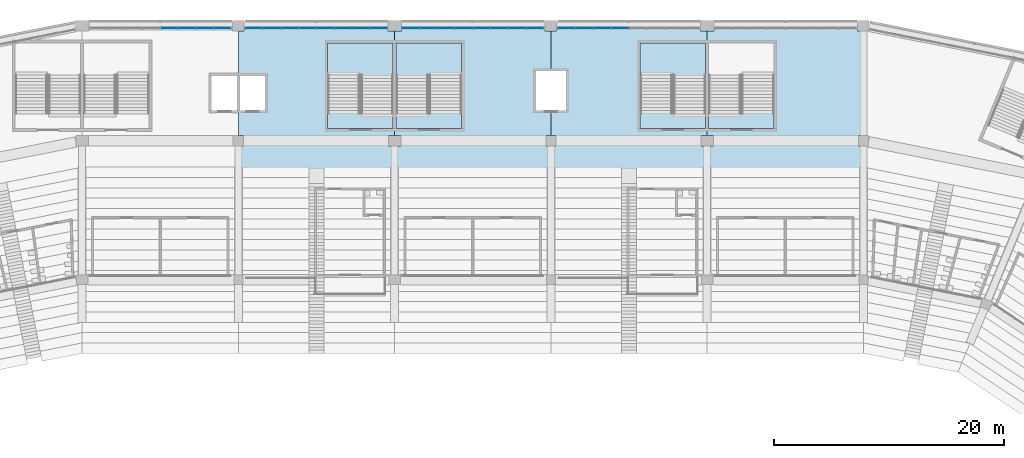
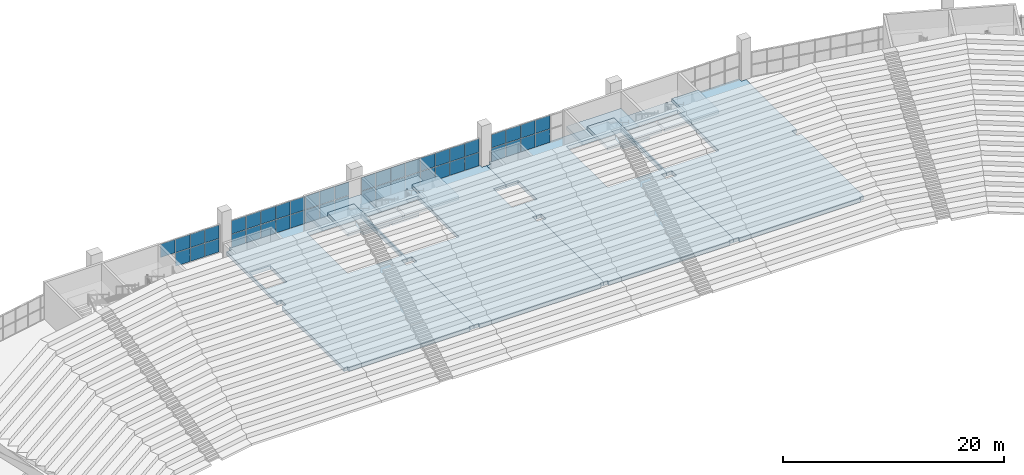
# One storey, part 80 of 249: 47 plates, 11 slabs, 8 elements without a shape of their own.
"""IFC4 building model written with IfcOpenShell, lengths in metres."""

from ifc_helpers import new_model, si_unit, direction, frame, origin, origin_2d, place, context, subcontext, project, spatial, polyline, rectangle, outline, extrude, material, layer, layer_set, type_object, element, aggregate, save


model = new_model("IFC4")

# Units and contexts
model_context = context("Model", 3, precision=1e-05, world=origin(), true_north=direction((0.0, 1.0)))
body_context = subcontext(model_context, "Body", "Model", "MODEL_VIEW")
ifc_project = project(units=[si_unit("LENGTHUNIT", "METRE"), si_unit("AREAUNIT", "SQUARE_METRE"), si_unit("VOLUMEUNIT", "CUBIC_METRE"), si_unit("PLANEANGLEUNIT", "RADIAN"), si_unit("MASSUNIT", "GRAM", prefix="KILO")], contexts=[model_context])

# Site, building, storey
site_placement = place(None, origin())
site = spatial("IfcSite", under=ifc_project, at=site_placement, CompositionType="ELEMENT")
building_placement = place(site_placement, origin())
building = spatial("IfcBuilding", under=site, at=building_placement, Name="Ogive Plaza Stadium", CompositionType="ELEMENT")
storey_placement = place(building_placement, frame((0.0, 0.0, 13.5)))
storey = spatial("IfcBuildingStorey", under=building, at=storey_placement, Name="L03", CompositionType="ELEMENT", Elevation=13.5)

# Curtain wall, plates
ifc_material_1 = material(Name="Bronze-anodised aluminium with laminated glass", Category="aluminium")
curtain_wall_type = type_object("IfcCurtainWallType", Name="Lancet curtain wall", PredefinedType="NOTDEFINED", material=ifc_material_1)
curtain_wall_1_placement = place(storey_placement, origin())
curtain_wall_1 = element("IfcCurtainWall", 1, at=curtain_wall_1_placement, inside=storey, type_object=curtain_wall_type, Name="CURTAIN WALL B32 L03", PredefinedType="NOTDEFINED")
ifc_material_2 = material(Name="Laminated glass", Category="glass")
ifc_layer_1 = layer(ifc_material_2, 0.028076171875)
ifc_layer_set_1 = layer_set([ifc_layer_1], Name="Laminated glass panel 28")
plate_type = type_object("IfcPlateType", Name="Laminated glass panel 28", PredefinedType="CURTAIN_PANEL", material=ifc_layer_set_1)
plate_1_placement = place(storey_placement, frame((-26.425048828125, 102.300048828125, 1.56982421875), z_axis=(0.0, 0.0, 1.0), x_axis=(1.0, 0.0, 0.0)))
plate_1 = element("IfcPlate", 2, at=plate_1_placement, type_object=plate_type, Name="CW-B32-L03 panel 5.2", PredefinedType="CURTAIN_PANEL", context=body_context, shape_type="SweptSolid", body=[
    extrude(rectangle(XDim=1.5, YDim=0.028076171875, at=origin_2d()), origin(), (0.0, 0.0, 1.0), 1.469970703125),
])
plate_2_placement = place(storey_placement, frame((-24.875, 102.300048828125, 0.0498046875), z_axis=(0.0, 0.0, 1.0), x_axis=(1.0, 0.0, 0.0)))
plate_2 = element("IfcPlate", 3, at=plate_2_placement, type_object=plate_type, Name="CW-B32-L03 panel 6.1", PredefinedType="CURTAIN_PANEL", context=body_context, shape_type="SweptSolid", body=[
    extrude(rectangle(XDim=1.5, YDim=0.028076171875, at=origin_2d()), origin(), (0.0, 0.0, 1.0), 1.469970703125),
])
plate_3_placement = place(storey_placement, frame((-24.875, 102.300048828125, 1.56982421875), z_axis=(0.0, 0.0, 1.0), x_axis=(1.0, 0.0, 0.0)))
plate_3 = element("IfcPlate", 4, at=plate_3_placement, type_object=plate_type, Name="CW-B32-L03 panel 6.2", PredefinedType="CURTAIN_PANEL", context=body_context, shape_type="SweptSolid", body=[
    extrude(rectangle(XDim=1.5, YDim=0.028076171875, at=origin_2d()), origin(), (0.0, 0.0, 1.0), 1.469970703125),
])
plate_4_placement = place(storey_placement, frame((-23.324951171875, 102.300048828125, 0.0498046875), z_axis=(0.0, 0.0, 1.0), x_axis=(1.0, 0.0, 0.0)))
plate_4 = element("IfcPlate", 5, at=plate_4_placement, type_object=plate_type, Name="CW-B32-L03 panel 7.1", PredefinedType="CURTAIN_PANEL", context=body_context, shape_type="SweptSolid", body=[
    extrude(rectangle(XDim=1.5, YDim=0.028076171875, at=origin_2d()), origin(), (0.0, 0.0, 1.0), 1.469970703125),
])
plate_5_placement = place(storey_placement, frame((-23.324951171875, 102.300048828125, 1.56982421875), z_axis=(0.0, 0.0, 1.0), x_axis=(1.0, 0.0, 0.0)))
plate_5 = element("IfcPlate", 6, at=plate_5_placement, type_object=plate_type, Name="CW-B32-L03 panel 7.2", PredefinedType="CURTAIN_PANEL", context=body_context, shape_type="SweptSolid", body=[
    extrude(rectangle(XDim=1.5, YDim=0.028076171875, at=origin_2d()), origin(), (0.0, 0.0, 1.0), 1.469970703125),
])
plate_6_placement = place(storey_placement, frame((-21.78759765625, 102.300048828125, 0.0498046875), z_axis=(0.0, 0.0, 1.0), x_axis=(1.0, 0.0, 0.0)))
plate_6 = element("IfcPlate", 7, at=plate_6_placement, type_object=plate_type, Name="CW-B32-L03 panel 8.1", PredefinedType="CURTAIN_PANEL", context=body_context, shape_type="SweptSolid", body=[
    extrude(rectangle(XDim=1.47509765625, YDim=0.028076171875, at=origin_2d()), origin(), (0.0, 0.0, 1.0), 1.469970703125),
])
plate_7_placement = place(storey_placement, frame((-21.78759765625, 102.300048828125, 1.56982421875), z_axis=(0.0, 0.0, 1.0), x_axis=(1.0, 0.0, 0.0)))
plate_7 = element("IfcPlate", 8, at=plate_7_placement, type_object=plate_type, Name="CW-B32-L03 panel 8.2", PredefinedType="CURTAIN_PANEL", context=body_context, shape_type="SweptSolid", body=[
    extrude(rectangle(XDim=1.47509765625, YDim=0.028076171875, at=origin_2d()), origin(), (0.0, 0.0, 1.0), 1.469970703125),
])
aggregate(curtain_wall_1, [plate_1, plate_2, plate_3, plate_4, plate_5, plate_6, plate_7])

curtain_wall_2_placement = place(storey_placement, origin())
curtain_wall_2 = element("IfcCurtainWall", 9, at=curtain_wall_2_placement, inside=storey, type_object=curtain_wall_type, Name="CURTAIN WALL B33 L03", PredefinedType="NOTDEFINED")
plate_8_placement = place(storey_placement, frame((-19.012451171875, 102.300048828125, 0.0498046875), z_axis=(0.0, 0.0, 1.0), x_axis=(1.0, 0.0, 0.0)))
plate_8 = element("IfcPlate", 10, at=plate_8_placement, type_object=plate_type, Name="CW-B33-L03 panel 1.1", PredefinedType="CURTAIN_PANEL", context=body_context, shape_type="SweptSolid", body=[
    extrude(rectangle(XDim=1.47509765625, YDim=0.028076171875, at=origin_2d()), origin(), (0.0, 0.0, 1.0), 1.469970703125),
])
plate_9_placement = place(storey_placement, frame((-19.012451171875, 102.300048828125, 1.56982421875), z_axis=(0.0, 0.0, 1.0), x_axis=(1.0, 0.0, 0.0)))
plate_9 = element("IfcPlate", 11, at=plate_9_placement, type_object=plate_type, Name="CW-B33-L03 panel 1.2", PredefinedType="CURTAIN_PANEL", context=body_context, shape_type="SweptSolid", body=[
    extrude(rectangle(XDim=1.47509765625, YDim=0.028076171875, at=origin_2d()), origin(), (0.0, 0.0, 1.0), 1.469970703125),
])
plate_10_placement = place(storey_placement, frame((-17.47509765625, 102.300048828125, 0.0498046875), z_axis=(0.0, 0.0, 1.0), x_axis=(1.0, 0.0, 0.0)))
plate_10 = element("IfcPlate", 12, at=plate_10_placement, type_object=plate_type, Name="CW-B33-L03 panel 2.1", PredefinedType="CURTAIN_PANEL", context=body_context, shape_type="SweptSolid", body=[
    extrude(rectangle(XDim=1.5, YDim=0.028076171875, at=origin_2d()), origin(), (0.0, 0.0, 1.0), 1.469970703125),
])
plate_11_placement = place(storey_placement, frame((-17.47509765625, 102.300048828125, 1.56982421875), z_axis=(0.0, 0.0, 1.0), x_axis=(1.0, 0.0, 0.0)))
plate_11 = element("IfcPlate", 13, at=plate_11_placement, type_object=plate_type, Name="CW-B33-L03 panel 2.2", PredefinedType="CURTAIN_PANEL", context=body_context, shape_type="SweptSolid", body=[
    extrude(rectangle(XDim=1.5, YDim=0.028076171875, at=origin_2d()), origin(), (0.0, 0.0, 1.0), 1.469970703125),
])
plate_12_placement = place(storey_placement, frame((-15.925048828125, 102.300048828125, 0.0498046875), z_axis=(0.0, 0.0, 1.0), x_axis=(1.0, 0.0, 0.0)))
plate_12 = element("IfcPlate", 14, at=plate_12_placement, type_object=plate_type, Name="CW-B33-L03 panel 3.1", PredefinedType="CURTAIN_PANEL", context=body_context, shape_type="SweptSolid", body=[
    extrude(rectangle(XDim=1.5, YDim=0.028076171875, at=origin_2d()), origin(), (0.0, 0.0, 1.0), 1.469970703125),
])
plate_13_placement = place(storey_placement, frame((-15.925048828125, 102.300048828125, 1.56982421875), z_axis=(0.0, 0.0, 1.0), x_axis=(1.0, 0.0, 0.0)))
plate_13 = element("IfcPlate", 15, at=plate_13_placement, type_object=plate_type, Name="CW-B33-L03 panel 3.2", PredefinedType="CURTAIN_PANEL", context=body_context, shape_type="SweptSolid", body=[
    extrude(rectangle(XDim=1.5, YDim=0.028076171875, at=origin_2d()), origin(), (0.0, 0.0, 1.0), 1.469970703125),
])
plate_14_placement = place(storey_placement, frame((-14.375, 102.300048828125, 0.0498046875), z_axis=(0.0, 0.0, 1.0), x_axis=(1.0, 0.0, 0.0)))
plate_14 = element("IfcPlate", 16, at=plate_14_placement, type_object=plate_type, Name="CW-B33-L03 panel 4.1", PredefinedType="CURTAIN_PANEL", context=body_context, shape_type="SweptSolid", body=[
    extrude(rectangle(XDim=1.5, YDim=0.028076171875, at=origin_2d()), origin(), (0.0, 0.0, 1.0), 1.469970703125),
])
plate_15_placement = place(storey_placement, frame((-14.375, 102.300048828125, 1.56982421875), z_axis=(0.0, 0.0, 1.0), x_axis=(1.0, 0.0, 0.0)))
plate_15 = element("IfcPlate", 17, at=plate_15_placement, type_object=plate_type, Name="CW-B33-L03 panel 4.2", PredefinedType="CURTAIN_PANEL", context=body_context, shape_type="SweptSolid", body=[
    extrude(rectangle(XDim=1.5, YDim=0.028076171875, at=origin_2d()), origin(), (0.0, 0.0, 1.0), 1.469970703125),
])
plate_16_placement = place(storey_placement, frame((-12.824951171875, 102.300048828125, 0.0498046875), z_axis=(0.0, 0.0, 1.0), x_axis=(1.0, 0.0, 0.0)))
plate_16 = element("IfcPlate", 18, at=plate_16_placement, type_object=plate_type, Name="CW-B33-L03 panel 5.1", PredefinedType="CURTAIN_PANEL", context=body_context, shape_type="SweptSolid", body=[
    extrude(rectangle(XDim=1.5, YDim=0.028076171875, at=origin_2d()), origin(), (0.0, 0.0, 1.0), 1.469970703125),
])
plate_17_placement = place(storey_placement, frame((-12.824951171875, 102.300048828125, 1.56982421875), z_axis=(0.0, 0.0, 1.0), x_axis=(1.0, 0.0, 0.0)))
plate_17 = element("IfcPlate", 19, at=plate_17_placement, type_object=plate_type, Name="CW-B33-L03 panel 5.2", PredefinedType="CURTAIN_PANEL", context=body_context, shape_type="SweptSolid", body=[
    extrude(rectangle(XDim=1.5, YDim=0.028076171875, at=origin_2d()), origin(), (0.0, 0.0, 1.0), 1.469970703125),
])
plate_18_placement = place(storey_placement, frame((-11.27490234375, 102.300048828125, 0.0498046875), z_axis=(0.0, 0.0, 1.0), x_axis=(1.0, 0.0, 0.0)))
plate_18 = element("IfcPlate", 20, at=plate_18_placement, type_object=plate_type, Name="CW-B33-L03 panel 6.1", PredefinedType="CURTAIN_PANEL", context=body_context, shape_type="SweptSolid", body=[
    extrude(rectangle(XDim=1.5, YDim=0.028076171875, at=origin_2d()), origin(), (0.0, 0.0, 1.0), 1.469970703125),
])
plate_19_placement = place(storey_placement, frame((-11.27490234375, 102.300048828125, 1.56982421875), z_axis=(0.0, 0.0, 1.0), x_axis=(1.0, 0.0, 0.0)))
plate_19 = element("IfcPlate", 21, at=plate_19_placement, type_object=plate_type, Name="CW-B33-L03 panel 6.2", PredefinedType="CURTAIN_PANEL", context=body_context, shape_type="SweptSolid", body=[
    extrude(rectangle(XDim=1.5, YDim=0.028076171875, at=origin_2d()), origin(), (0.0, 0.0, 1.0), 1.469970703125),
])
plate_20_placement = place(storey_placement, frame((-9.72509765625, 102.300048828125, 0.0498046875), z_axis=(0.0, 0.0, 1.0), x_axis=(1.0, 0.0, 0.0)))
plate_20 = element("IfcPlate", 22, at=plate_20_placement, type_object=plate_type, Name="CW-B33-L03 panel 7.1", PredefinedType="CURTAIN_PANEL", context=body_context, shape_type="SweptSolid", body=[
    extrude(rectangle(XDim=1.5, YDim=0.028076171875, at=origin_2d()), origin(), (0.0, 0.0, 1.0), 1.469970703125),
])
plate_21_placement = place(storey_placement, frame((-9.72509765625, 102.300048828125, 1.56982421875), z_axis=(0.0, 0.0, 1.0), x_axis=(1.0, 0.0, 0.0)))
plate_21 = element("IfcPlate", 23, at=plate_21_placement, type_object=plate_type, Name="CW-B33-L03 panel 7.2", PredefinedType="CURTAIN_PANEL", context=body_context, shape_type="SweptSolid", body=[
    extrude(rectangle(XDim=1.5, YDim=0.028076171875, at=origin_2d()), origin(), (0.0, 0.0, 1.0), 1.469970703125),
])
plate_22_placement = place(storey_placement, frame((-8.1875, 102.300048828125, 0.0498046875), z_axis=(0.0, 0.0, 1.0), x_axis=(1.0, 0.0, 0.0)))
plate_22 = element("IfcPlate", 24, at=plate_22_placement, type_object=plate_type, Name="CW-B33-L03 panel 8.1", PredefinedType="CURTAIN_PANEL", context=body_context, shape_type="SweptSolid", body=[
    extrude(rectangle(XDim=1.47509765625, YDim=0.028076171875, at=origin_2d()), origin(), (0.0, 0.0, 1.0), 1.469970703125),
])
plate_23_placement = place(storey_placement, frame((-8.1875, 102.300048828125, 1.56982421875), z_axis=(0.0, 0.0, 1.0), x_axis=(1.0, 0.0, 0.0)))
plate_23 = element("IfcPlate", 25, at=plate_23_placement, type_object=plate_type, Name="CW-B33-L03 panel 8.2", PredefinedType="CURTAIN_PANEL", context=body_context, shape_type="SweptSolid", body=[
    extrude(rectangle(XDim=1.47509765625, YDim=0.028076171875, at=origin_2d()), origin(), (0.0, 0.0, 1.0), 1.469970703125),
])
aggregate(curtain_wall_2, [plate_8, plate_9, plate_10, plate_11, plate_12, plate_13, plate_14, plate_15, plate_16, plate_17, plate_18, plate_19, plate_20, plate_21, plate_22, plate_23])

curtain_wall_3_placement = place(storey_placement, origin())
curtain_wall_3 = element("IfcCurtainWall", 26, at=curtain_wall_3_placement, inside=storey, type_object=curtain_wall_type, Name="CURTAIN WALL B34 L03", PredefinedType="NOTDEFINED")
plate_24_placement = place(storey_placement, frame((-5.41259765625, 102.300048828125, 0.0498046875), z_axis=(0.0, 0.0, 1.0), x_axis=(1.0, 0.0, 0.0)))
plate_24 = element("IfcPlate", 27, at=plate_24_placement, type_object=plate_type, Name="CW-B34-L03 panel 1.1", PredefinedType="CURTAIN_PANEL", context=body_context, shape_type="SweptSolid", body=[
    extrude(rectangle(XDim=1.47509765625, YDim=0.028076171875, at=origin_2d()), origin(), (0.0, 0.0, 1.0), 1.469970703125),
])
plate_25_placement = place(storey_placement, frame((-5.41259765625, 102.300048828125, 1.56982421875), z_axis=(0.0, 0.0, 1.0), x_axis=(1.0, 0.0, 0.0)))
plate_25 = element("IfcPlate", 28, at=plate_25_placement, type_object=plate_type, Name="CW-B34-L03 panel 1.2", PredefinedType="CURTAIN_PANEL", context=body_context, shape_type="SweptSolid", body=[
    extrude(rectangle(XDim=1.47509765625, YDim=0.028076171875, at=origin_2d()), origin(), (0.0, 0.0, 1.0), 1.469970703125),
])
plate_26_placement = place(storey_placement, frame((-3.875, 102.300048828125, 0.0498046875), z_axis=(0.0, 0.0, 1.0), x_axis=(1.0, 0.0, 0.0)))
plate_26 = element("IfcPlate", 29, at=plate_26_placement, type_object=plate_type, Name="CW-B34-L03 panel 2.1", PredefinedType="CURTAIN_PANEL", context=body_context, shape_type="SweptSolid", body=[
    extrude(rectangle(XDim=1.5, YDim=0.028076171875, at=origin_2d()), origin(), (0.0, 0.0, 1.0), 1.469970703125),
])
plate_27_placement = place(storey_placement, frame((-3.875, 102.300048828125, 1.56982421875), z_axis=(0.0, 0.0, 1.0), x_axis=(1.0, 0.0, 0.0)))
plate_27 = element("IfcPlate", 30, at=plate_27_placement, type_object=plate_type, Name="CW-B34-L03 panel 2.2", PredefinedType="CURTAIN_PANEL", context=body_context, shape_type="SweptSolid", body=[
    extrude(rectangle(XDim=1.5, YDim=0.028076171875, at=origin_2d()), origin(), (0.0, 0.0, 1.0), 1.469970703125),
])
plate_28_placement = place(storey_placement, frame((-2.324951171875, 102.300048828125, 0.0498046875), z_axis=(0.0, 0.0, 1.0), x_axis=(1.0, 0.0, 0.0)))
plate_28 = element("IfcPlate", 31, at=plate_28_placement, type_object=plate_type, Name="CW-B34-L03 panel 3.1", PredefinedType="CURTAIN_PANEL", context=body_context, shape_type="SweptSolid", body=[
    extrude(rectangle(XDim=1.5, YDim=0.028076171875, at=origin_2d()), origin(), (0.0, 0.0, 1.0), 1.469970703125),
])
plate_29_placement = place(storey_placement, frame((-2.324951171875, 102.300048828125, 1.56982421875), z_axis=(0.0, 0.0, 1.0), x_axis=(1.0, 0.0, 0.0)))
plate_29 = element("IfcPlate", 32, at=plate_29_placement, type_object=plate_type, Name="CW-B34-L03 panel 3.2", PredefinedType="CURTAIN_PANEL", context=body_context, shape_type="SweptSolid", body=[
    extrude(rectangle(XDim=1.5, YDim=0.028076171875, at=origin_2d()), origin(), (0.0, 0.0, 1.0), 1.469970703125),
])
plate_30_placement = place(storey_placement, frame((-0.77490234375, 102.300048828125, 0.0498046875), z_axis=(0.0, 0.0, 1.0), x_axis=(1.0, 0.0, 0.0)))
plate_30 = element("IfcPlate", 33, at=plate_30_placement, type_object=plate_type, Name="CW-B34-L03 panel 4.1", PredefinedType="CURTAIN_PANEL", context=body_context, shape_type="SweptSolid", body=[
    extrude(rectangle(XDim=1.5, YDim=0.028076171875, at=origin_2d()), origin(), (0.0, 0.0, 1.0), 1.469970703125),
])
plate_31_placement = place(storey_placement, frame((-0.77490234375, 102.300048828125, 1.56982421875), z_axis=(0.0, 0.0, 1.0), x_axis=(1.0, 0.0, 0.0)))
plate_31 = element("IfcPlate", 34, at=plate_31_placement, type_object=plate_type, Name="CW-B34-L03 panel 4.2", PredefinedType="CURTAIN_PANEL", context=body_context, shape_type="SweptSolid", body=[
    extrude(rectangle(XDim=1.5, YDim=0.028076171875, at=origin_2d()), origin(), (0.0, 0.0, 1.0), 1.469970703125),
])
plate_32_placement = place(storey_placement, frame((0.77490234375, 102.300048828125, 0.0498046875), z_axis=(0.0, 0.0, 1.0), x_axis=(1.0, 0.0, 0.0)))
plate_32 = element("IfcPlate", 35, at=plate_32_placement, type_object=plate_type, Name="CW-B34-L03 panel 5.1", PredefinedType="CURTAIN_PANEL", context=body_context, shape_type="SweptSolid", body=[
    extrude(rectangle(XDim=1.5, YDim=0.028076171875, at=origin_2d()), origin(), (0.0, 0.0, 1.0), 1.469970703125),
])
plate_33_placement = place(storey_placement, frame((0.77490234375, 102.300048828125, 1.56982421875), z_axis=(0.0, 0.0, 1.0), x_axis=(1.0, 0.0, 0.0)))
plate_33 = element("IfcPlate", 36, at=plate_33_placement, type_object=plate_type, Name="CW-B34-L03 panel 5.2", PredefinedType="CURTAIN_PANEL", context=body_context, shape_type="SweptSolid", body=[
    extrude(rectangle(XDim=1.5, YDim=0.028076171875, at=origin_2d()), origin(), (0.0, 0.0, 1.0), 1.469970703125),
])
plate_34_placement = place(storey_placement, frame((2.324951171875, 102.300048828125, 0.0498046875), z_axis=(0.0, 0.0, 1.0), x_axis=(1.0, 0.0, 0.0)))
plate_34 = element("IfcPlate", 37, at=plate_34_placement, type_object=plate_type, Name="CW-B34-L03 panel 6.1", PredefinedType="CURTAIN_PANEL", context=body_context, shape_type="SweptSolid", body=[
    extrude(rectangle(XDim=1.5, YDim=0.028076171875, at=origin_2d()), origin(), (0.0, 0.0, 1.0), 1.469970703125),
])
plate_35_placement = place(storey_placement, frame((2.324951171875, 102.300048828125, 1.56982421875), z_axis=(0.0, 0.0, 1.0), x_axis=(1.0, 0.0, 0.0)))
plate_35 = element("IfcPlate", 38, at=plate_35_placement, type_object=plate_type, Name="CW-B34-L03 panel 6.2", PredefinedType="CURTAIN_PANEL", context=body_context, shape_type="SweptSolid", body=[
    extrude(rectangle(XDim=1.5, YDim=0.028076171875, at=origin_2d()), origin(), (0.0, 0.0, 1.0), 1.469970703125),
])
plate_36_placement = place(storey_placement, frame((3.875, 102.300048828125, 0.0498046875), z_axis=(0.0, 0.0, 1.0), x_axis=(1.0, 0.0, 0.0)))
plate_36 = element("IfcPlate", 39, at=plate_36_placement, type_object=plate_type, Name="CW-B34-L03 panel 7.1", PredefinedType="CURTAIN_PANEL", context=body_context, shape_type="SweptSolid", body=[
    extrude(rectangle(XDim=1.5, YDim=0.028076171875, at=origin_2d()), origin(), (0.0, 0.0, 1.0), 1.469970703125),
])
plate_37_placement = place(storey_placement, frame((3.875, 102.300048828125, 1.56982421875), z_axis=(0.0, 0.0, 1.0), x_axis=(1.0, 0.0, 0.0)))
plate_37 = element("IfcPlate", 40, at=plate_37_placement, type_object=plate_type, Name="CW-B34-L03 panel 7.2", PredefinedType="CURTAIN_PANEL", context=body_context, shape_type="SweptSolid", body=[
    extrude(rectangle(XDim=1.5, YDim=0.028076171875, at=origin_2d()), origin(), (0.0, 0.0, 1.0), 1.469970703125),
])
plate_38_placement = place(storey_placement, frame((5.41259765625, 102.300048828125, 0.0498046875), z_axis=(0.0, 0.0, 1.0), x_axis=(1.0, 0.0, 0.0)))
plate_38 = element("IfcPlate", 41, at=plate_38_placement, type_object=plate_type, Name="CW-B34-L03 panel 8.1", PredefinedType="CURTAIN_PANEL", context=body_context, shape_type="SweptSolid", body=[
    extrude(rectangle(XDim=1.47509765625, YDim=0.028076171875, at=origin_2d()), origin(), (0.0, 0.0, 1.0), 1.469970703125),
])
plate_39_placement = place(storey_placement, frame((5.41259765625, 102.300048828125, 1.56982421875), z_axis=(0.0, 0.0, 1.0), x_axis=(1.0, 0.0, 0.0)))
plate_39 = element("IfcPlate", 42, at=plate_39_placement, type_object=plate_type, Name="CW-B34-L03 panel 8.2", PredefinedType="CURTAIN_PANEL", context=body_context, shape_type="SweptSolid", body=[
    extrude(rectangle(XDim=1.47509765625, YDim=0.028076171875, at=origin_2d()), origin(), (0.0, 0.0, 1.0), 1.469970703125),
])
aggregate(curtain_wall_3, [plate_24, plate_25, plate_26, plate_27, plate_28, plate_29, plate_30, plate_31, plate_32, plate_33, plate_34, plate_35, plate_36, plate_37, plate_38, plate_39])

curtain_wall_4_placement = place(storey_placement, origin())
curtain_wall_4 = element("IfcCurtainWall", 43, at=curtain_wall_4_placement, inside=storey, type_object=curtain_wall_type, Name="CURTAIN WALL B35 L03", PredefinedType="NOTDEFINED")
plate_40_placement = place(storey_placement, frame((8.1875, 102.300048828125, 0.0498046875), z_axis=(0.0, 0.0, 1.0), x_axis=(1.0, 0.0, 0.0)))
plate_40 = element("IfcPlate", 44, at=plate_40_placement, type_object=plate_type, Name="CW-B35-L03 panel 1.1", PredefinedType="CURTAIN_PANEL", context=body_context, shape_type="SweptSolid", body=[
    extrude(rectangle(XDim=1.47509765625, YDim=0.028076171875, at=origin_2d()), origin(), (0.0, 0.0, 1.0), 1.469970703125),
])
plate_41_placement = place(storey_placement, frame((8.1875, 102.300048828125, 1.56982421875), z_axis=(0.0, 0.0, 1.0), x_axis=(1.0, 0.0, 0.0)))
plate_41 = element("IfcPlate", 45, at=plate_41_placement, type_object=plate_type, Name="CW-B35-L03 panel 1.2", PredefinedType="CURTAIN_PANEL", context=body_context, shape_type="SweptSolid", body=[
    extrude(rectangle(XDim=1.47509765625, YDim=0.028076171875, at=origin_2d()), origin(), (0.0, 0.0, 1.0), 1.469970703125),
])
plate_42_placement = place(storey_placement, frame((9.72509765625, 102.300048828125, 0.0498046875), z_axis=(0.0, 0.0, 1.0), x_axis=(1.0, 0.0, 0.0)))
plate_42 = element("IfcPlate", 46, at=plate_42_placement, type_object=plate_type, Name="CW-B35-L03 panel 2.1", PredefinedType="CURTAIN_PANEL", context=body_context, shape_type="SweptSolid", body=[
    extrude(rectangle(XDim=1.5, YDim=0.028076171875, at=origin_2d()), origin(), (0.0, 0.0, 1.0), 1.469970703125),
])
plate_43_placement = place(storey_placement, frame((9.72509765625, 102.300048828125, 1.56982421875), z_axis=(0.0, 0.0, 1.0), x_axis=(1.0, 0.0, 0.0)))
plate_43 = element("IfcPlate", 47, at=plate_43_placement, type_object=plate_type, Name="CW-B35-L03 panel 2.2", PredefinedType="CURTAIN_PANEL", context=body_context, shape_type="SweptSolid", body=[
    extrude(rectangle(XDim=1.5, YDim=0.028076171875, at=origin_2d()), origin(), (0.0, 0.0, 1.0), 1.469970703125),
])
plate_44_placement = place(storey_placement, frame((11.27490234375, 102.300048828125, 0.0498046875), z_axis=(0.0, 0.0, 1.0), x_axis=(1.0, 0.0, 0.0)))
plate_44 = element("IfcPlate", 48, at=plate_44_placement, type_object=plate_type, Name="CW-B35-L03 panel 3.1", PredefinedType="CURTAIN_PANEL", context=body_context, shape_type="SweptSolid", body=[
    extrude(rectangle(XDim=1.5, YDim=0.028076171875, at=origin_2d()), origin(), (0.0, 0.0, 1.0), 1.469970703125),
])
plate_45_placement = place(storey_placement, frame((11.27490234375, 102.300048828125, 1.56982421875), z_axis=(0.0, 0.0, 1.0), x_axis=(1.0, 0.0, 0.0)))
plate_45 = element("IfcPlate", 49, at=plate_45_placement, type_object=plate_type, Name="CW-B35-L03 panel 3.2", PredefinedType="CURTAIN_PANEL", context=body_context, shape_type="SweptSolid", body=[
    extrude(rectangle(XDim=1.5, YDim=0.028076171875, at=origin_2d()), origin(), (0.0, 0.0, 1.0), 1.469970703125),
])
plate_46_placement = place(storey_placement, frame((12.824951171875, 102.300048828125, 0.0498046875), z_axis=(0.0, 0.0, 1.0), x_axis=(1.0, 0.0, 0.0)))
plate_46 = element("IfcPlate", 50, at=plate_46_placement, type_object=plate_type, Name="CW-B35-L03 panel 4.1", PredefinedType="CURTAIN_PANEL", context=body_context, shape_type="SweptSolid", body=[
    extrude(rectangle(XDim=1.5, YDim=0.028076171875, at=origin_2d()), origin(), (0.0, 0.0, 1.0), 1.469970703125),
])
plate_47_placement = place(storey_placement, frame((12.824951171875, 102.300048828125, 1.56982421875), z_axis=(0.0, 0.0, 1.0), x_axis=(1.0, 0.0, 0.0)))
plate_47 = element("IfcPlate", 51, at=plate_47_placement, type_object=plate_type, Name="CW-B35-L03 panel 4.2", PredefinedType="CURTAIN_PANEL", context=body_context, shape_type="SweptSolid", body=[
    extrude(rectangle(XDim=1.5, YDim=0.028076171875, at=origin_2d()), origin(), (0.0, 0.0, 1.0), 1.469970703125),
])
aggregate(curtain_wall_4, [plate_40, plate_41, plate_42, plate_43, plate_44, plate_45, plate_46, plate_47])

# Slabs
ifc_material_3 = material(Name="Concrete C40/50", Category="concrete")
ifc_layer_2 = layer(ifc_material_3, 0.409912109375)
ifc_layer_set_2 = layer_set([ifc_layer_2], Name="Concrete C40/50")
slab_type_1 = type_object("IfcSlabType", Name="RC floor slab 410", PredefinedType="FLOOR", material=ifc_layer_set_2)
slab_1_placement = place(storey_placement, frame((0.0, 0.0, -0.409912109375)))
element("IfcSlab", 52, at=slab_1_placement, inside=storey, type_object=slab_type_1, Name="Floor slab L03 B33", PredefinedType="FLOOR", context=body_context, shape_type="SweptSolid", body=[
    extrude(outline(polyline([(-6.800048828125, 92.050048828125), (-7.35009765625, 92.050048828125), (-7.35009765625, 92.949951171875), (-6.800048828125, 92.949951171875), (-6.800048828125, 102.050048828125), (-7.39990234375, 102.050048828125), (-7.39990234375, 102.5), (-19.89990234375, 102.5), (-19.89990234375, 102.050048828125), (-20.39990234375, 102.050048828125), (-20.39990234375, 92.949951171875), (-19.949951171875, 92.949951171875), (-19.949951171875, 92.050048828125), (-20.39990234375, 92.050048828125), (-20.39990234375, 80.800048828125), (-20.0, 80.800048828125), (-20.0, 80.60009765625), (-7.300048828125, 80.60009765625), (-7.300048828125, 80.800048828125), (-6.800048828125, 80.800048828125), (-6.800048828125, 92.050048828125)]), holes=[polyline([(-20.27490234375, 95.14990234375), (-18.074951171875, 95.14990234375), (-18.074951171875, 98.14990234375), (-20.27490234375, 98.14990234375), (-20.27490234375, 95.14990234375)]), polyline([(-12.625, 93.550048828125), (-6.925048828125, 93.550048828125), (-6.925048828125, 101.010009765625), (-12.625, 101.010009765625), (-12.625, 93.550048828125)])]), origin(), (0.0, 0.0, 1.0), 0.409912109375),
])
slab_2_placement = place(storey_placement, frame((0.0, 0.0, -0.409912109375)))
element("IfcSlab", 53, at=slab_2_placement, inside=storey, type_object=slab_type_1, Name="Floor slab L03 B34", PredefinedType="FLOOR", context=body_context, shape_type="SweptSolid", body=[
    extrude(outline(polyline([(6.800048828125, 92.050048828125), (6.35009765625, 92.050048828125), (6.35009765625, 92.949951171875), (6.800048828125, 92.949951171875), (6.800048828125, 95.14990234375), (5.5, 95.14990234375), (5.5, 98.550048828125), (6.800048828125, 98.550048828125), (6.800048828125, 102.050048828125), (6.300048828125, 102.050048828125), (6.300048828125, 102.5), (-6.199951171875, 102.5), (-6.199951171875, 102.050048828125), (-6.800048828125, 102.050048828125), (-6.800048828125, 92.949951171875), (-6.25, 92.949951171875), (-6.25, 92.050048828125), (-6.800048828125, 92.050048828125), (-6.800048828125, 80.800048828125), (-6.300048828125, 80.800048828125), (-6.300048828125, 80.60009765625), (6.39990234375, 80.60009765625), (6.39990234375, 80.800048828125), (6.800048828125, 80.800048828125), (6.800048828125, 92.050048828125)]), holes=[polyline([(-6.675048828125, 93.550048828125), (-0.97509765625, 93.550048828125), (-0.97509765625, 101.010009765625), (-6.675048828125, 101.010009765625), (-6.675048828125, 93.550048828125)])]), origin(), (0.0, 0.0, 1.0), 0.409912109375),
])
slab_3_placement = place(storey_placement, frame((0.0, 0.0, -0.409912109375)))
element("IfcSlab", 54, at=slab_3_placement, inside=storey, type_object=slab_type_1, Name="Floor slab L03 B35", PredefinedType="FLOOR", context=body_context, shape_type="SweptSolid", body=[
    extrude(outline(polyline([(20.39990234375, 92.050048828125), (19.85009765625, 92.050048828125), (19.85009765625, 92.949951171875), (20.39990234375, 92.949951171875), (20.39990234375, 102.050048828125), (19.800048828125, 102.050048828125), (19.800048828125, 102.5), (7.300048828125, 102.5), (7.300048828125, 102.050048828125), (6.800048828125, 102.050048828125), (6.800048828125, 98.550048828125), (8.10009765625, 98.550048828125), (8.10009765625, 95.14990234375), (6.800048828125, 95.14990234375), (6.800048828125, 92.949951171875), (7.25, 92.949951171875), (7.25, 92.050048828125), (6.800048828125, 92.050048828125), (6.800048828125, 80.800048828125), (7.199951171875, 80.800048828125), (7.199951171875, 80.60009765625), (19.89990234375, 80.60009765625), (19.89990234375, 80.800048828125), (20.39990234375, 80.800048828125), (20.39990234375, 92.050048828125)]), holes=[polyline([(14.574951171875, 93.550048828125), (20.27490234375, 93.550048828125), (20.27490234375, 101.010009765625), (14.574951171875, 101.010009765625), (14.574951171875, 93.550048828125)])]), origin(), (0.0, 0.0, 1.0), 0.409912109375),
])
slab_4_placement = place(storey_placement, frame((0.0, 0.0, -0.409912109375)))
element("IfcSlab", 55, at=slab_4_placement, inside=storey, type_object=slab_type_1, Name="Floor slab L03 B36", PredefinedType="FLOOR", context=body_context, shape_type="SweptSolid", body=[
    extrude(outline(polyline([(34.0, 92.050048828125), (33.550048828125, 92.050048828125), (33.550048828125, 92.949951171875), (34.0, 92.949951171875), (34.0, 102.050048828125), (33.5, 102.050048828125), (33.5, 102.5), (21.0, 102.5), (21.0, 102.050048828125), (20.39990234375, 102.050048828125), (20.39990234375, 92.949951171875), (20.949951171875, 92.949951171875), (20.949951171875, 92.050048828125), (20.39990234375, 92.050048828125), (20.39990234375, 80.800048828125), (20.89990234375, 80.800048828125), (20.89990234375, 80.60009765625), (33.60009765625, 80.60009765625), (33.60009765625, 80.800048828125), (34.0, 80.800048828125), (34.0, 92.050048828125)]), holes=[polyline([(20.52490234375, 93.550048828125), (26.22509765625, 93.550048828125), (26.22509765625, 101.010009765625), (20.52490234375, 101.010009765625), (20.52490234375, 93.550048828125)])]), origin(), (0.0, 0.0, 1.0), 0.409912109375),
])

# Stair, slabs
ifc_material_4 = material(Name="Concrete C40/50", Category="concrete")
stair_type = type_object("IfcStairType", Name="Exit stair", PredefinedType="STRAIGHT_RUN_STAIR", material=ifc_material_4)
stair_1_placement = place(storey_placement, origin())
stair_1 = element("IfcStair", 56, at=stair_1_placement, inside=storey, type_object=stair_type, Name="Exit stair ST34A L03 to L04", PredefinedType="STRAIGHT_RUN_STAIR")
ifc_material_5 = material(Name="Concrete C40/50", Category="concrete")
ifc_layer_3 = layer(ifc_material_5, 0.39990234375)
ifc_layer_set_3 = layer_set([ifc_layer_3], Name="Concrete C40/50")
slab_type_2 = type_object("IfcSlabType", Name="Stair landing", PredefinedType="LANDING", material=ifc_layer_set_3)
slab_5_placement = place(storey_placement, frame((0.0, 0.0, 1.85009765625)))
slab_5 = element("IfcSlab", 57, at=slab_5_placement, type_object=slab_type_2, Name="ST34A landing 1", PredefinedType="LANDING", context=body_context, shape_type="SweptSolid", body=[
    extrude(outline(polyline([(-6.675048828125, 101.010009765625), (-0.97509765625, 101.010009765625), (-0.97509765625, 98.2099609375), (-3.875, 98.2099609375), (-3.875, 95.81005859375), (-6.675048828125, 95.81005859375), (-6.675048828125, 98.2099609375), (-6.675048828125, 101.010009765625)])), origin(), (0.0, 0.0, 1.0), 0.39990234375),
])
slab_6_placement = place(storey_placement, frame((0.0, 0.0, 4.10009765625)))
slab_6 = element("IfcSlab", 58, at=slab_6_placement, type_object=slab_type_2, Name="ST34A landing 2", PredefinedType="LANDING", context=body_context, shape_type="SweptSolid", body=[
    extrude(outline(polyline([(-3.77490234375, 97.25), (-0.97509765625, 97.25), (-0.97509765625, 94.85009765625), (-0.97509765625, 93.550048828125), (-6.675048828125, 93.550048828125), (-6.675048828125, 94.85009765625), (-3.77490234375, 94.85009765625), (-3.77490234375, 97.25)])), origin(), (0.0, 0.0, 1.0), 0.39990234375),
])
aggregate(stair_1, [slab_5, slab_6])

stair_2_placement = place(storey_placement, origin())
stair_2 = element("IfcStair", 59, at=stair_2_placement, inside=storey, type_object=stair_type, Name="Exit stair ST34B L03 to L04", PredefinedType="STRAIGHT_RUN_STAIR")
slab_7_placement = place(storey_placement, frame((0.0, 0.0, 1.85009765625)))
slab_7 = element("IfcSlab", 60, at=slab_7_placement, type_object=slab_type_2, Name="ST34B landing 1", PredefinedType="LANDING", context=body_context, shape_type="SweptSolid", body=[
    extrude(outline(polyline([(-6.925048828125, 95.81005859375), (-9.72509765625, 95.81005859375), (-9.72509765625, 98.2099609375), (-12.625, 98.2099609375), (-12.625, 101.010009765625), (-6.925048828125, 101.010009765625), (-6.925048828125, 98.2099609375), (-6.925048828125, 95.81005859375)])), origin(), (0.0, 0.0, 1.0), 0.39990234375),
])
slab_8_placement = place(storey_placement, frame((0.0, 0.0, 4.10009765625)))
slab_8 = element("IfcSlab", 61, at=slab_8_placement, type_object=slab_type_2, Name="ST34B landing 2", PredefinedType="LANDING", context=body_context, shape_type="SweptSolid", body=[
    extrude(outline(polyline([(-6.925048828125, 94.85009765625), (-6.925048828125, 93.550048828125), (-12.625, 93.550048828125), (-12.625, 94.85009765625), (-12.625, 97.25), (-9.824951171875, 97.25), (-9.824951171875, 94.85009765625), (-6.925048828125, 94.85009765625)])), origin(), (0.0, 0.0, 1.0), 0.39990234375),
])
aggregate(stair_2, [slab_7, slab_8])

# Stair, slab
stair_3_placement = place(storey_placement, origin())
stair_3 = element("IfcStair", 62, at=stair_3_placement, inside=storey, type_object=stair_type, Name="Exit stair ST36A L03 to L04", PredefinedType="STRAIGHT_RUN_STAIR")
slab_9_placement = place(storey_placement, frame((0.0, 0.0, 4.10009765625)))
slab_9 = element("IfcSlab", 63, at=slab_9_placement, type_object=slab_type_2, Name="ST36A landing 2", PredefinedType="LANDING", context=body_context, shape_type="SweptSolid", body=[
    extrude(outline(polyline([(23.425048828125, 97.25), (26.22509765625, 97.25), (26.22509765625, 94.85009765625), (26.22509765625, 93.550048828125), (20.52490234375, 93.550048828125), (20.52490234375, 94.85009765625), (23.425048828125, 94.85009765625), (23.425048828125, 97.25)])), origin(), (0.0, 0.0, 1.0), 0.39990234375),
])
aggregate(stair_3, [slab_9])

# Stair, slabs
stair_4_placement = place(storey_placement, origin())
stair_4 = element("IfcStair", 64, at=stair_4_placement, inside=storey, type_object=stair_type, Name="Exit stair ST36B L03 to L04", PredefinedType="STRAIGHT_RUN_STAIR")
slab_10_placement = place(storey_placement, frame((0.0, 0.0, 1.85009765625)))
slab_10 = element("IfcSlab", 65, at=slab_10_placement, type_object=slab_type_2, Name="ST36B landing 1", PredefinedType="LANDING", context=body_context, shape_type="SweptSolid", body=[
    extrude(outline(polyline([(20.27490234375, 95.81005859375), (17.47509765625, 95.81005859375), (17.47509765625, 98.2099609375), (14.574951171875, 98.2099609375), (14.574951171875, 101.010009765625), (20.27490234375, 101.010009765625), (20.27490234375, 98.2099609375), (20.27490234375, 95.81005859375)])), origin(), (0.0, 0.0, 1.0), 0.39990234375),
])
slab_11_placement = place(storey_placement, frame((0.0, 0.0, 4.10009765625)))
slab_11 = element("IfcSlab", 66, at=slab_11_placement, type_object=slab_type_2, Name="ST36B landing 2", PredefinedType="LANDING", context=body_context, shape_type="SweptSolid", body=[
    extrude(outline(polyline([(20.27490234375, 94.85009765625), (20.27490234375, 93.550048828125), (14.574951171875, 93.550048828125), (14.574951171875, 94.85009765625), (14.574951171875, 97.25), (17.375, 97.25), (17.375, 94.85009765625), (20.27490234375, 94.85009765625)])), origin(), (0.0, 0.0, 1.0), 0.39990234375),
])
aggregate(stair_4, [slab_10, slab_11])

save(model, "model.ifc")
